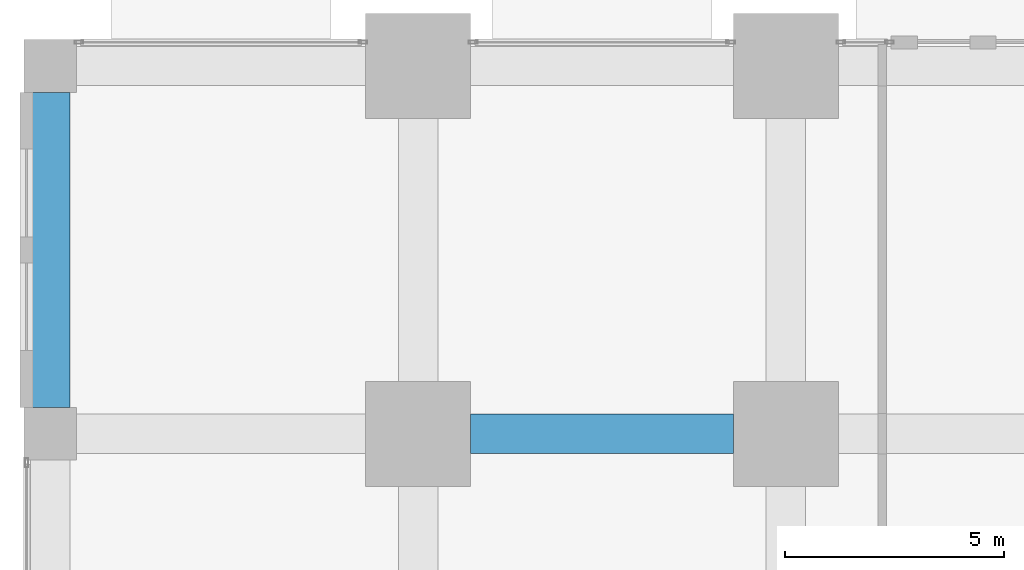
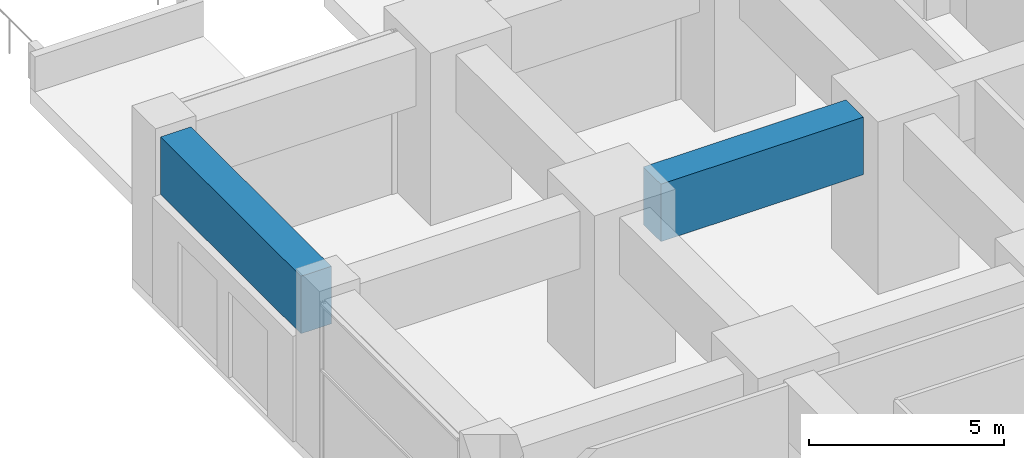
# One storey, part 21 of 81: 2 beams.
"""IFC4 building model written with IfcOpenShell, lengths in metres."""

from ifc_helpers import new_model, si_unit, direction, frame, origin, origin_2d, place, context, subcontext, project, spatial, rectangle, extrude, material, material_profile, profile_set, type_object, element, save


model = new_model("IFC4")

# Units and contexts
model_context = context("Model", 3, precision=1e-05, world=origin(), true_north=direction((0.0, 1.0)))
body_context = subcontext(model_context, "Body", "Model", "MODEL_VIEW")
ifc_project = project(units=[si_unit("LENGTHUNIT", "METRE"), si_unit("AREAUNIT", "SQUARE_METRE"), si_unit("VOLUMEUNIT", "CUBIC_METRE"), si_unit("PLANEANGLEUNIT", "RADIAN"), si_unit("MASSUNIT", "GRAM", prefix="KILO")], contexts=[model_context])

# Site, building, storey
site_placement = place(None, origin())
site = spatial("IfcSite", under=ifc_project, at=site_placement, CompositionType="ELEMENT")
building_placement = place(site_placement, origin())
building = spatial("IfcBuilding", under=site, at=building_placement, Name="Rekha Terrace Tower", CompositionType="ELEMENT")
storey_placement = place(building_placement, origin())
storey = spatial("IfcBuildingStorey", under=building, at=storey_placement, Name="L00", CompositionType="ELEMENT", Elevation=0.0)

# Beams
ifc_material = material(Name="Concrete M60", Category="concrete")
ifc_material_profile = material_profile(ifc_material, rectangle(XDim=0.89990234375, YDim=1.800048828125, at=origin_2d()), Name="RC 900x1800")
ifc_profile_set = profile_set([ifc_material_profile], Name="Concrete M60")
beam_type = type_object("IfcBeamType", Name="G1 900x1800 podium floor beam", PredefinedType="BEAM", material=ifc_profile_set)
beam_1_placement = place(storey_placement, frame((0.0, 51.0, 4.199951171875), z_axis=(0.0, 1.0, 0.0), x_axis=(-1.0, 0.0, 0.0)))
element("IfcBeam", 1, at=beam_1_placement, inside=storey, type_object=beam_type, Name="Beam G1 1G-1H under L01", PredefinedType="BEAM", context=body_context, shape_type="SweptSolid", body=[
    extrude(rectangle(XDim=0.89990234375, YDim=1.800048828125, at=origin_2d()), origin(), (0.0, 0.0, 1.0), 7.199951171875),
])
beam_2_placement = place(storey_placement, frame((9.60009765625, 50.39990234375, 4.199951171875), z_axis=(1.0, 0.0, 0.0), x_axis=(0.0, 1.0, 0.0)))
element("IfcBeam", 2, at=beam_2_placement, inside=storey, type_object=beam_type, Name="Beam G1 2G-3G under L01", PredefinedType="BEAM", context=body_context, shape_type="SweptSolid", body=[
    extrude(rectangle(XDim=0.89990234375, YDim=1.800048828125, at=origin_2d()), origin(), (0.0, 0.0, 1.0), 6.0),
])

save(model, "model.ifc")
